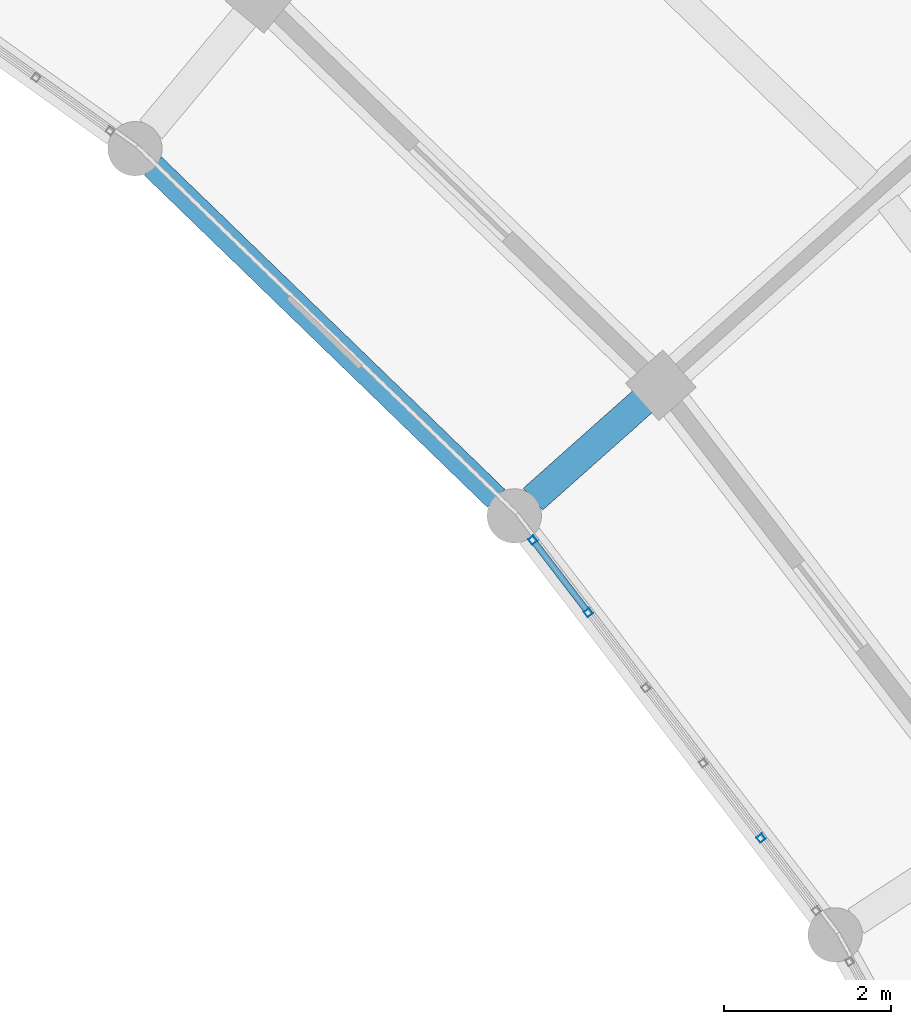
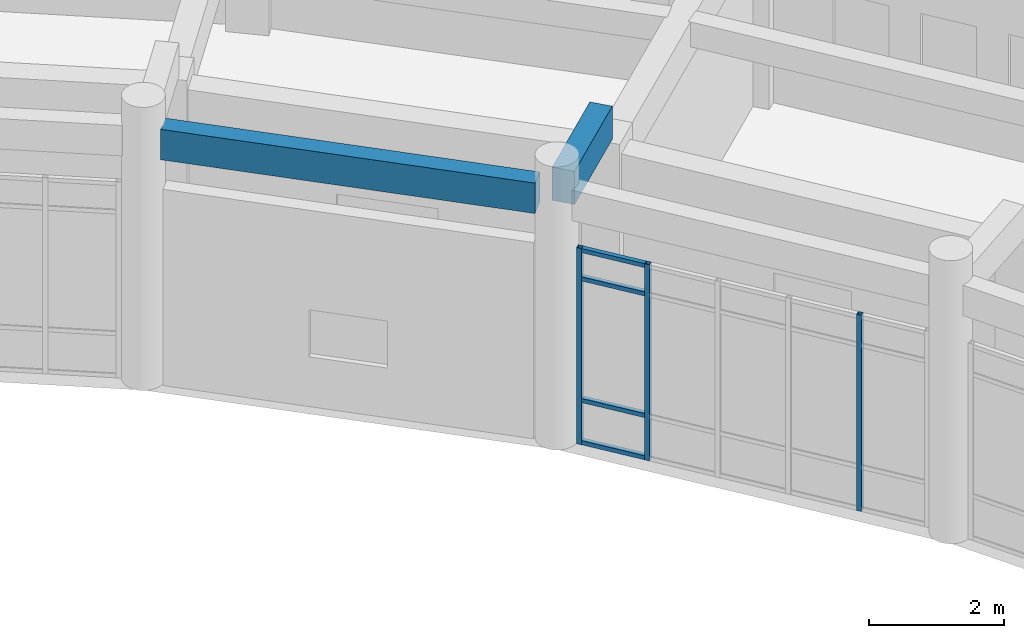
# One storey, part 76 of 159: 7 members, 2 beams, 1 element without a shape of its own.
"""IFC4 building model written with IfcOpenShell, lengths in metres."""

from ifc_helpers import new_model, si_unit, direction, frame, origin, origin_2d, place, context, subcontext, project, spatial, rectangle, hollow_rectangle, extrude, material, material_profile, profile_set, type_object, element, aggregate, save


model = new_model("IFC4")

# Units and contexts
model_context = context("Model", 3, precision=1e-05, world=origin(), true_north=direction((0.0, 1.0)))
body_context = subcontext(model_context, "Body", "Model", "MODEL_VIEW")
ifc_project = project(units=[si_unit("LENGTHUNIT", "METRE"), si_unit("AREAUNIT", "SQUARE_METRE"), si_unit("VOLUMEUNIT", "CUBIC_METRE"), si_unit("PLANEANGLEUNIT", "RADIAN"), si_unit("MASSUNIT", "GRAM", prefix="KILO")], contexts=[model_context])

# Site, building, storey
site_placement = place(None, origin())
site = spatial("IfcSite", under=ifc_project, at=site_placement, CompositionType="ELEMENT")
building_placement = place(site_placement, origin())
building = spatial("IfcBuilding", under=site, at=building_placement, Name="Celadon Cloister-Ring School", CompositionType="ELEMENT")
storey_placement = place(building_placement, frame((0.0, 0.0, 4.5)))
storey = spatial("IfcBuildingStorey", under=building, at=storey_placement, Name="L01", CompositionType="ELEMENT", Elevation=4.5)

# Beam
ifc_material_1 = material(Name="Concrete C35/45", Category="concrete")
ifc_material_profile_1 = material_profile(ifc_material_1, rectangle(XDim=0.35009765625, YDim=0.60009765625, at=origin_2d()), Name="RC350X600")
ifc_profile_set_1 = profile_set([ifc_material_profile_1], Name="Concrete C35/45")
beam_type_1 = type_object("IfcBeamType", Name="BT-02", PredefinedType="BEAM", material=ifc_profile_set_1)
beam_1_placement = place(storey_placement, frame((120.39990234375, 88.7451171875, 4.35009765625), z_axis=(-0.746969032985, -0.664858829949, 0.0), x_axis=(0.664858829949, -0.746969032985, 0.0)))
element("IfcBeam", 1, at=beam_1_placement, inside=storey, type_object=beam_type_1, Name="Beam 0262", PredefinedType="BEAM", context=body_context, shape_type="SweptSolid", body=[
    extrude(rectangle(XDim=0.35009765625, YDim=0.60009765625, at=origin_2d()), origin(), (0.0, 0.0, 1.0), 1.775146484375),
])

# Curtain wall, members
ifc_material_2 = material(Name="Aluminium EN AW-6063 T6", Category="aluminium")
curtain_wall_type = type_object("IfcCurtainWallType", Name="CW-01", PredefinedType="USERDEFINED", material=ifc_material_2)
curtain_wall_placement = place(storey_placement, origin())
curtain_wall = element("IfcCurtainWall", 2, at=curtain_wall_placement, inside=storey, type_object=curtain_wall_type, Name="Curtain Wall 0042", ObjectType="CURTAIN WALL", PredefinedType="USERDEFINED")
ifc_material_3 = material(Name="Aluminium EN AW-6063 T6", Category="aluminium")
ifc_material_profile_2 = material_profile(ifc_material_3, hollow_rectangle(XDim=0.080078125, YDim=0.080078125, WallThickness=0.00390625, at=origin_2d()), Name="RHS80X80X4")
ifc_profile_set_2 = profile_set([ifc_material_profile_2], Name="Aluminium EN AW-6063 T6")
member_type_1 = type_object("IfcMemberType", Name="CM-03", PredefinedType="MULLION", material=ifc_profile_set_2)
member_1_placement = place(storey_placement, frame((121.803955078125, 83.507080078125, 0.0), z_axis=(0.0, 0.0, 1.0), x_axis=(-0.794032169563, -0.607875738699, 0.0)))
member_1 = element("IfcMember", 3, at=member_1_placement, type_object=member_type_1, Name="CW-01 mullion 2", PredefinedType="MULLION", context=body_context, shape_type="SweptSolid", body=[
    extrude(hollow_rectangle(XDim=0.080078125, YDim=0.080078125, WallThickness=0.00390625, at=origin_2d()), origin(), (0.0, 0.0, 1.0), 3.550048828125),
])
member_2_placement = place(storey_placement, frame((119.737060546875, 86.20703125, 0.0), z_axis=(0.0, 0.0, 1.0), x_axis=(-0.794032169563, -0.607875738699, 0.0)))
member_2 = element("IfcMember", 4, at=member_2_placement, type_object=member_type_1, Name="CW-01 mullion 5", PredefinedType="MULLION", context=body_context, shape_type="SweptSolid", body=[
    extrude(hollow_rectangle(XDim=0.080078125, YDim=0.080078125, WallThickness=0.00390625, at=origin_2d()), origin(), (0.0, 0.0, 1.0), 3.550048828125),
])
member_3_placement = place(storey_placement, frame((119.072265625, 87.0751953125, 0.0), z_axis=(0.0, 0.0, 1.0), x_axis=(-0.794032169563, -0.607875738699, 0.0)))
member_3 = element("IfcMember", 5, at=member_3_placement, type_object=member_type_1, Name="CW-01 mullion 6", PredefinedType="MULLION", context=body_context, shape_type="SweptSolid", body=[
    extrude(hollow_rectangle(XDim=0.080078125, YDim=0.080078125, WallThickness=0.00390625, at=origin_2d()), origin(), (0.0, 0.0, 1.0), 3.550048828125),
])
ifc_material_4 = material(Name="Aluminium EN AW-6063 T6", Category="aluminium")
ifc_material_profile_3 = material_profile(ifc_material_4, hollow_rectangle(XDim=0.074951171875, YDim=0.074951171875, WallThickness=0.00390625, at=origin_2d()), Name="RHS75X75X4")
ifc_profile_set_3 = profile_set([ifc_material_profile_3], Name="Aluminium EN AW-6063 T6")
member_type_2 = type_object("IfcMemberType", Name="CTM-03", PredefinedType="USERDEFINED", material=ifc_profile_set_3)
member_4_placement = place(storey_placement, frame((119.712646484375, 86.23876953125, 0.03759765625), z_axis=(-0.607834557378, 0.794063694458, 0.0), x_axis=(-0.794063694458, -0.607834557378, 0.0)))
member_4 = element("IfcMember", 6, at=member_4_placement, type_object=member_type_2, Name="CW-01 transom 5.1", ObjectType="TRANSOM", PredefinedType="USERDEFINED", context=body_context, shape_type="SweptSolid", body=[
    extrude(hollow_rectangle(XDim=0.074951171875, YDim=0.074951171875, WallThickness=0.00390625, at=origin_2d()), origin(), (0.0, 0.0, 1.0), 1.013427734375),
])
member_5_placement = place(storey_placement, frame((119.712646484375, 86.23876953125, 0.800048828125), z_axis=(-0.607834557378, 0.794063694458, 0.0), x_axis=(-0.794063694458, -0.607834557378, 0.0)))
member_5 = element("IfcMember", 7, at=member_5_placement, type_object=member_type_2, Name="CW-01 transom 5.2", ObjectType="TRANSOM", PredefinedType="USERDEFINED", context=body_context, shape_type="SweptSolid", body=[
    extrude(hollow_rectangle(XDim=0.074951171875, YDim=0.074951171875, WallThickness=0.00390625, at=origin_2d()), origin(), (0.0, 0.0, 1.0), 1.013427734375),
])
member_6_placement = place(storey_placement, frame((119.712646484375, 86.23876953125, 3.0), z_axis=(-0.607834557378, 0.794063694458, 0.0), x_axis=(-0.794063694458, -0.607834557378, 0.0)))
member_6 = element("IfcMember", 8, at=member_6_placement, type_object=member_type_2, Name="CW-01 transom 5.3", ObjectType="TRANSOM", PredefinedType="USERDEFINED", context=body_context, shape_type="SweptSolid", body=[
    extrude(hollow_rectangle(XDim=0.074951171875, YDim=0.074951171875, WallThickness=0.00390625, at=origin_2d()), origin(), (0.0, 0.0, 1.0), 1.013427734375),
])
member_7_placement = place(storey_placement, frame((119.712646484375, 86.23876953125, 3.512451171875), z_axis=(-0.607834557378, 0.794063694458, 0.0), x_axis=(-0.794063694458, -0.607834557378, 0.0)))
member_7 = element("IfcMember", 9, at=member_7_placement, type_object=member_type_2, Name="CW-01 transom 5.4", ObjectType="TRANSOM", PredefinedType="USERDEFINED", context=body_context, shape_type="SweptSolid", body=[
    extrude(hollow_rectangle(XDim=0.074951171875, YDim=0.074951171875, WallThickness=0.00390625, at=origin_2d()), origin(), (0.0, 0.0, 1.0), 1.013427734375),
])
aggregate(curtain_wall, [member_1, member_2, member_3, member_4, member_5, member_6, member_7])

# Beam
ifc_material_5 = material(Name="Concrete C35/45", Category="concrete")
ifc_material_profile_4 = material_profile(ifc_material_5, rectangle(XDim=0.300048828125, YDim=0.550048828125, at=origin_2d()), Name="RC300X550")
ifc_profile_set_4 = profile_set([ifc_material_profile_4], Name="Concrete C35/45")
beam_type_2 = type_object("IfcBeamType", Name="SP-02", PredefinedType="SPANDREL", material=ifc_profile_set_4)
beam_2_placement = place(storey_placement, frame((118.634033203125, 87.573974609375, 4.375), z_axis=(-0.718478235211, 0.695549441469, 0.0), x_axis=(-0.695549441469, -0.718478235211, 0.0)))
element("IfcBeam", 10, at=beam_2_placement, inside=storey, type_object=beam_type_2, Name="Beam 0391", PredefinedType="SPANDREL", context=body_context, shape_type="SweptSolid", body=[
    extrude(rectangle(XDim=0.300048828125, YDim=0.550048828125, at=origin_2d()), origin(), (0.0, 0.0, 1.0), 5.7177734375),
])

save(model, "model.ifc")
